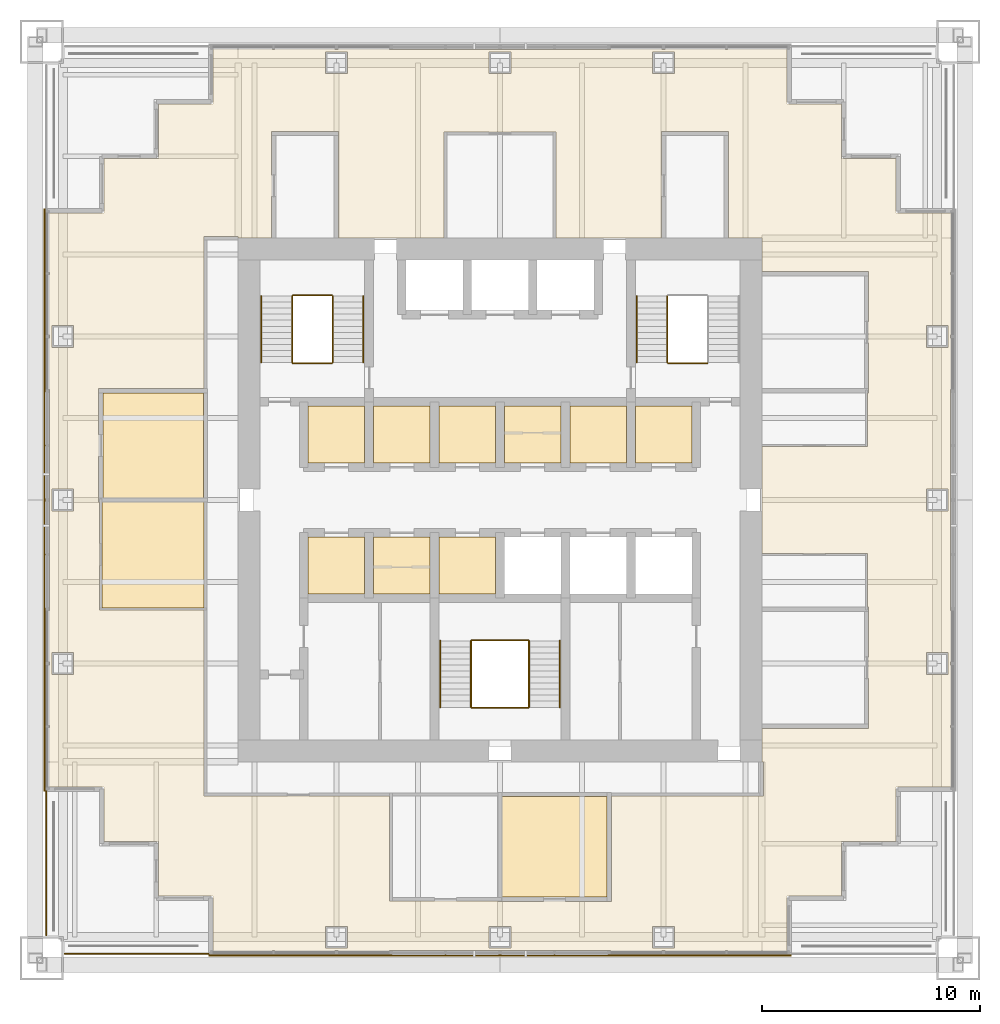
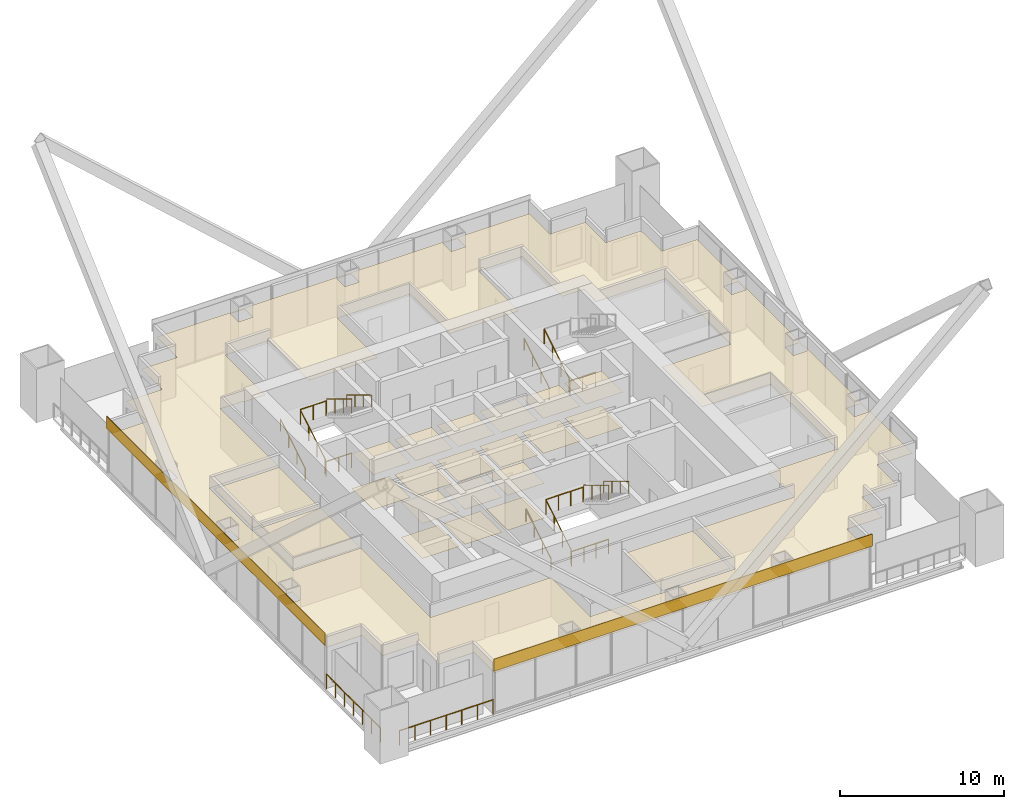
# One storey, part 16 of 17: 24 coverings, 17 railings.
"""IFC4 building model written with IfcOpenShell, lengths in metres."""

from ifc_helpers import new_model, si_unit, direction, frame, origin, origin_2d, place, context, subcontext, project, spatial, polyline, rectangle, circle, outline, extrude, material, layer, layer_set, type_object, element, save


model = new_model("IFC4")

# Units and contexts
model_context = context("Model", 3, precision=1e-05, world=origin(), true_north=direction((0.0, 1.0)))
body_context = subcontext(model_context, "Body", "Model", "MODEL_VIEW")
ifc_project = project(units=[si_unit("LENGTHUNIT", "METRE"), si_unit("AREAUNIT", "SQUARE_METRE"), si_unit("VOLUMEUNIT", "CUBIC_METRE"), si_unit("PLANEANGLEUNIT", "RADIAN"), si_unit("MASSUNIT", "GRAM", prefix="KILO")], contexts=[model_context])

# Site, building, storey
site_placement = place(None, origin())
site = spatial("IfcSite", under=ifc_project, at=site_placement, CompositionType="ELEMENT")
building_placement = place(site_placement, origin())
building = spatial("IfcBuilding", under=site, at=building_placement, Name="Tarangal Relay Tower", CompositionType="ELEMENT")
storey_placement = place(building_placement, frame((0.0, 0.0, 315.89990234375)))
storey = spatial("IfcBuildingStorey", under=building, at=storey_placement, Name="L70", CompositionType="ELEMENT", Elevation=315.89990234375)

# Coverings
ifc_material_1 = material(Name="Anti-static vinyl flooring", Category="plastic")
ifc_layer_1 = layer(ifc_material_1, 0.010009765625)
ifc_layer_set_1 = layer_set([ifc_layer_1], Name="Anti-static vinyl floor")
covering_type_1 = type_object("IfcCoveringType", Name="Anti-static vinyl floor", PredefinedType="FLOORING", material=ifc_layer_set_1)
covering_1_placement = place(storey_placement, origin())
element("IfcCovering", 1, at=covering_1_placement, inside=storey, type_object=covering_type_1, Name="Floor finish FL1 L70-D1", PredefinedType="FLOORING", context=body_context, shape_type="SweptSolid", body=[
    extrude(outline(polyline([(-8.800048828125, 1.699951171875), (-6.199951171875, 1.699951171875), (-6.199951171875, 4.300048828125), (-8.800048828125, 4.300048828125), (-8.800048828125, 1.699951171875)])), origin(), (0.0, 0.0, 1.0), 0.010009765625),
])
covering_2_placement = place(storey_placement, origin())
element("IfcCovering", 2, at=covering_2_placement, inside=storey, type_object=covering_type_1, Name="Floor finish FL1 L70-D2", PredefinedType="FLOORING", context=body_context, shape_type="SweptSolid", body=[
    extrude(outline(polyline([(-5.800048828125, 1.699951171875), (-3.199951171875, 1.699951171875), (-3.199951171875, 4.300048828125), (-5.800048828125, 4.300048828125), (-5.800048828125, 1.699951171875)])), origin(), (0.0, 0.0, 1.0), 0.010009765625),
])
covering_3_placement = place(storey_placement, origin())
element("IfcCovering", 3, at=covering_3_placement, inside=storey, type_object=covering_type_1, Name="Floor finish FL1 L70-D3", PredefinedType="FLOORING", context=body_context, shape_type="SweptSolid", body=[
    extrude(outline(polyline([(-2.800048828125, 1.699951171875), (-0.199951171875, 1.699951171875), (-0.199951171875, 4.300048828125), (-2.800048828125, 4.300048828125), (-2.800048828125, 1.699951171875)])), origin(), (0.0, 0.0, 1.0), 0.010009765625),
])
covering_4_placement = place(storey_placement, origin())
element("IfcCovering", 4, at=covering_4_placement, inside=storey, type_object=covering_type_1, Name="Floor finish FL1 L70-T1", PredefinedType="FLOORING", context=body_context, shape_type="SweptSolid", body=[
    extrude(outline(polyline([(0.199951171875, 1.699951171875), (2.800048828125, 1.699951171875), (2.800048828125, 4.300048828125), (0.199951171875, 4.300048828125), (0.199951171875, 1.699951171875)])), origin(), (0.0, 0.0, 1.0), 0.010009765625),
])
covering_5_placement = place(storey_placement, origin())
element("IfcCovering", 5, at=covering_5_placement, inside=storey, type_object=covering_type_1, Name="Floor finish FL1 L70-T2", PredefinedType="FLOORING", context=body_context, shape_type="SweptSolid", body=[
    extrude(outline(polyline([(3.199951171875, 1.699951171875), (5.800048828125, 1.699951171875), (5.800048828125, 4.300048828125), (3.199951171875, 4.300048828125), (3.199951171875, 1.699951171875)])), origin(), (0.0, 0.0, 1.0), 0.010009765625),
])
covering_6_placement = place(storey_placement, origin())
element("IfcCovering", 6, at=covering_6_placement, inside=storey, type_object=covering_type_1, Name="Floor finish FL1 L70-T3", PredefinedType="FLOORING", context=body_context, shape_type="SweptSolid", body=[
    extrude(outline(polyline([(6.199951171875, 1.699951171875), (8.800048828125, 1.699951171875), (8.800048828125, 4.300048828125), (6.199951171875, 4.300048828125), (6.199951171875, 1.699951171875)])), origin(), (0.0, 0.0, 1.0), 0.010009765625),
])
covering_7_placement = place(storey_placement, origin())
element("IfcCovering", 7, at=covering_7_placement, inside=storey, type_object=covering_type_1, Name="Floor finish FL1 L70-S1", PredefinedType="FLOORING", context=body_context, shape_type="SweptSolid", body=[
    extrude(outline(polyline([(-8.800048828125, -4.300048828125), (-6.199951171875, -4.300048828125), (-6.199951171875, -1.699951171875), (-8.800048828125, -1.699951171875), (-8.800048828125, -4.300048828125)])), origin(), (0.0, 0.0, 1.0), 0.010009765625),
])
covering_8_placement = place(storey_placement, origin())
element("IfcCovering", 8, at=covering_8_placement, inside=storey, type_object=covering_type_1, Name="Floor finish FL1 L70-S2", PredefinedType="FLOORING", context=body_context, shape_type="SweptSolid", body=[
    extrude(outline(polyline([(-5.800048828125, -4.300048828125), (-3.199951171875, -4.300048828125), (-3.199951171875, -1.699951171875), (-5.800048828125, -1.699951171875), (-5.800048828125, -4.300048828125)])), origin(), (0.0, 0.0, 1.0), 0.010009765625),
])
covering_9_placement = place(storey_placement, origin())
element("IfcCovering", 9, at=covering_9_placement, inside=storey, type_object=covering_type_1, Name="Floor finish FL1 L70-S3", PredefinedType="FLOORING", context=body_context, shape_type="SweptSolid", body=[
    extrude(outline(polyline([(-2.800048828125, -4.300048828125), (-0.199951171875, -4.300048828125), (-0.199951171875, -1.699951171875), (-2.800048828125, -1.699951171875), (-2.800048828125, -4.300048828125)])), origin(), (0.0, 0.0, 1.0), 0.010009765625),
])
ifc_material_2 = material(Name="Black anodised aluminium cladding", Category="aluminium")
ifc_layer_2 = layer(ifc_material_2, 0.050048828125)
ifc_layer_set_2 = layer_set([ifc_layer_2], Name="Black metal spandrel band")
covering_type_2 = type_object("IfcCoveringType", Name="Black metal spandrel band", PredefinedType="CLADDING", material=ifc_layer_set_2)
for number, where, z_axis, x_axis, name in (
    (10, (0.0, -20.875, 3.250244140625), (0.0, 0.0, 1.0), (-1.0, 0.0, 0.0), "Spandrel band SB1 S L70"),
    (11, (-20.875, 0.0, 3.250244140625), (0.0, 0.0, 1.0), (0.0, 1.0, 0.0), "Spandrel band SB1 W L70"),
):
    element("IfcCovering", number, at=place(storey_placement, frame(where, z_axis=z_axis, x_axis=x_axis)), inside=storey, type_object=covering_type_2, Name=name, PredefinedType="CLADDING", context=body_context, shape_type="SweptSolid", body=[
        extrude(rectangle(XDim=26.699951171875, YDim=0.050048828125, at=origin_2d()), origin(), (0.0, 0.0, 1.0), 0.89990234375),
    ])

# Railings
ifc_material_3 = material(Name="Steel guard, black finish", Category="steel")
railing_type_1 = type_object("IfcRailingType", Name="Stair guard 1100", PredefinedType="GUARDRAIL", material=ifc_material_3)
railing_1_placement = place(storey_placement, frame((-9.530029296875, 6.300048828125, 0.166748046875)))
element("IfcRailing", 12, at=railing_1_placement, inside=storey, type_object=railing_type_1, Name="Stair ST-A guard GR1 L70 flight 1", PredefinedType="GUARDRAIL", context=body_context, shape_type="SweptSolid", body=[
    extrude(circle(Radius=0.02392578125, at=origin_2d()), frame((0.0, 0.0, 1.076171875), z_axis=(0.0, 0.85685617095, 0.515555527858), x_axis=(-1.0, 0.0, 0.0)), (0.0, 0.0, 1.0), 3.555908203125),
    extrude(circle(Radius=0.02099609375, at=origin_2d()), origin(), (0.0, 0.0, 1.0), 1.052001953125),
    extrude(circle(Radius=0.02099609375, at=origin_2d()), frame((0.0, 1.015625, 0.611083984375)), (0.0, 0.0, 1.0), 1.052001953125),
    extrude(circle(Radius=0.02099609375, at=origin_2d()), frame((0.0, 2.03125, 1.22216796875)), (0.0, 0.0, 1.0), 1.052001953125),
    extrude(circle(Radius=0.02099609375, at=origin_2d()), frame((0.0, 3.046875, 1.833251953125)), (0.0, 0.0, 1.0), 1.052001953125),
])
railing_2_placement = place(storey_placement, frame((-7.669921875, 9.346923828125, 2.166748046875)))
element("IfcRailing", 13, at=railing_2_placement, inside=storey, type_object=railing_type_1, Name="Stair ST-A guard GR1 L70 flight 2", PredefinedType="GUARDRAIL", context=body_context, shape_type="SweptSolid", body=[
    extrude(circle(Radius=0.02392578125, at=origin_2d()), frame((0.0, 0.0, 1.076171875), z_axis=(0.0, -0.85685617095, 0.515555527858), x_axis=(1.0, 0.0, 0.0)), (0.0, 0.0, 1.0), 3.555908203125),
    extrude(circle(Radius=0.02099609375, at=origin_2d()), origin(), (0.0, 0.0, 1.0), 1.052001953125),
    extrude(circle(Radius=0.02099609375, at=origin_2d()), frame((0.0, -1.015625, 0.611083984375)), (0.0, 0.0, 1.0), 1.052001953125),
    extrude(circle(Radius=0.02099609375, at=origin_2d()), frame((0.0, -2.03125, 1.22216796875)), (0.0, 0.0, 1.0), 1.052001953125),
    extrude(circle(Radius=0.02099609375, at=origin_2d()), frame((0.0, -3.046875, 1.833251953125)), (0.0, 0.0, 1.0), 1.052001953125),
])
for number, where, name in (
    (14, (-9.5, 6.27001953125, 0.0), "Stair ST-A landing guard GR1 L70"),
    (15, (-9.5, 9.376953125, 2.0), "Stair ST-A landing guard GR1 L70"),
):
    element("IfcRailing", number, at=place(storey_placement, frame(where)), inside=storey, type_object=railing_type_1, Name=name, PredefinedType="GUARDRAIL", context=body_context, shape_type="SweptSolid", body=[
        extrude(circle(Radius=0.02392578125, at=origin_2d()), frame((0.0, 0.0, 1.076171875), z_axis=(1.0, 0.0, 0.0), x_axis=(0.0, 1.0, 0.0)), (0.0, 0.0, 1.0), 1.800048828125),
        extrude(circle(Radius=0.02099609375, at=origin_2d()), origin(), (0.0, 0.0, 1.0), 1.052001953125),
        extrude(circle(Radius=0.02099609375, at=origin_2d()), frame((0.89990234375, 0.0, 0.0)), (0.0, 0.0, 1.0), 1.052001953125),
        extrude(circle(Radius=0.02099609375, at=origin_2d()), frame((1.800048828125, 0.0, 0.0)), (0.0, 0.0, 1.0), 1.052001953125),
    ])
railing_3_placement = place(storey_placement, frame((7.669921875, 6.300048828125, 0.166748046875)))
element("IfcRailing", 16, at=railing_3_placement, inside=storey, type_object=railing_type_1, Name="Stair ST-B guard GR1 L70 flight 1", PredefinedType="GUARDRAIL", context=body_context, shape_type="SweptSolid", body=[
    extrude(circle(Radius=0.02392578125, at=origin_2d()), frame((0.0, 0.0, 1.076171875), z_axis=(0.0, 0.85685617095, 0.515555527858), x_axis=(-1.0, 0.0, 0.0)), (0.0, 0.0, 1.0), 3.555908203125),
    extrude(circle(Radius=0.02099609375, at=origin_2d()), origin(), (0.0, 0.0, 1.0), 1.052001953125),
    extrude(circle(Radius=0.02099609375, at=origin_2d()), frame((0.0, 1.015625, 0.611083984375)), (0.0, 0.0, 1.0), 1.052001953125),
    extrude(circle(Radius=0.02099609375, at=origin_2d()), frame((0.0, 2.03125, 1.22216796875)), (0.0, 0.0, 1.0), 1.052001953125),
    extrude(circle(Radius=0.02099609375, at=origin_2d()), frame((0.0, 3.046875, 1.833251953125)), (0.0, 0.0, 1.0), 1.052001953125),
])
railing_4_placement = place(storey_placement, frame((7.699951171875, 6.27001953125, 0.0)))
element("IfcRailing", 17, at=railing_4_placement, inside=storey, type_object=railing_type_1, Name="Stair ST-B landing guard GR1 L70", PredefinedType="GUARDRAIL", context=body_context, shape_type="SweptSolid", body=[
    extrude(circle(Radius=0.02392578125, at=origin_2d()), frame((0.0, 0.0, 1.076171875), z_axis=(1.0, 0.0, 0.0), x_axis=(0.0, 1.0, 0.0)), (0.0, 0.0, 1.0), 1.800048828125),
    extrude(circle(Radius=0.02099609375, at=origin_2d()), origin(), (0.0, 0.0, 1.0), 1.052001953125),
    extrude(circle(Radius=0.02099609375, at=origin_2d()), frame((0.89990234375, 0.0, 0.0)), (0.0, 0.0, 1.0), 1.052001953125),
    extrude(circle(Radius=0.02099609375, at=origin_2d()), frame((1.800048828125, 0.0, 0.0)), (0.0, 0.0, 1.0), 1.052001953125),
])
railing_5_placement = place(storey_placement, frame((-1.330078125, -9.5, 0.166748046875)))
element("IfcRailing", 18, at=railing_5_placement, inside=storey, type_object=railing_type_1, Name="Stair ST-C guard GR1 L70 flight 1", PredefinedType="GUARDRAIL", context=body_context, shape_type="SweptSolid", body=[
    extrude(circle(Radius=0.02392578125, at=origin_2d()), frame((0.0, 0.0, 1.076171875), z_axis=(0.0, 0.856874418557, 0.515525199018), x_axis=(-1.0, 0.0, 0.0)), (0.0, 0.0, 1.0), 3.55615234375),
    extrude(circle(Radius=0.02099609375, at=origin_2d()), origin(), (0.0, 0.0, 1.0), 1.052001953125),
    extrude(circle(Radius=0.02099609375, at=origin_2d()), frame((0.0, 1.015625, 0.611083984375)), (0.0, 0.0, 1.0), 1.052001953125),
    extrude(circle(Radius=0.02099609375, at=origin_2d()), frame((0.0, 2.031494140625, 1.22216796875)), (0.0, 0.0, 1.0), 1.052001953125),
    extrude(circle(Radius=0.02099609375, at=origin_2d()), frame((0.0, 3.047119140625, 1.833251953125)), (0.0, 0.0, 1.0), 1.052001953125),
])
railing_6_placement = place(storey_placement, frame((1.330078125, -6.452880859375, 2.166748046875)))
element("IfcRailing", 19, at=railing_6_placement, inside=storey, type_object=railing_type_1, Name="Stair ST-C guard GR1 L70 flight 2", PredefinedType="GUARDRAIL", context=body_context, shape_type="SweptSolid", body=[
    extrude(circle(Radius=0.02392578125, at=origin_2d()), frame((0.0, 0.0, 1.076171875), z_axis=(0.0, -0.856874418557, 0.515525199018), x_axis=(1.0, 0.0, 0.0)), (0.0, 0.0, 1.0), 3.55615234375),
    extrude(circle(Radius=0.02099609375, at=origin_2d()), origin(), (0.0, 0.0, 1.0), 1.052001953125),
    extrude(circle(Radius=0.02099609375, at=origin_2d()), frame((0.0, -1.015625, 0.611083984375)), (0.0, 0.0, 1.0), 1.052001953125),
    extrude(circle(Radius=0.02099609375, at=origin_2d()), frame((0.0, -2.031494140625, 1.22216796875)), (0.0, 0.0, 1.0), 1.052001953125),
    extrude(circle(Radius=0.02099609375, at=origin_2d()), frame((0.0, -3.047119140625, 1.833251953125)), (0.0, 0.0, 1.0), 1.052001953125),
])
for number, where, name in (
    (20, (-1.300048828125, -9.530029296875, 0.0), "Stair ST-C landing guard GR1 L70"),
    (21, (-1.300048828125, -6.423095703125, 2.0), "Stair ST-C landing guard GR1 L70"),
):
    element("IfcRailing", number, at=place(storey_placement, frame(where)), inside=storey, type_object=railing_type_1, Name=name, PredefinedType="GUARDRAIL", context=body_context, shape_type="SweptSolid", body=[
        extrude(circle(Radius=0.02392578125, at=origin_2d()), frame((0.0, 0.0, 1.076171875), z_axis=(1.0, 0.0, 0.0), x_axis=(0.0, 1.0, 0.0)), (0.0, 0.0, 1.0), 2.60009765625),
        extrude(circle(Radius=0.02099609375, at=origin_2d()), origin(), (0.0, 0.0, 1.0), 1.052001953125),
        extrude(circle(Radius=0.02099609375, at=origin_2d()), frame((0.86669921875, 0.0, 0.0)), (0.0, 0.0, 1.0), 1.052001953125),
        extrude(circle(Radius=0.02099609375, at=origin_2d()), frame((1.7333984375, 0.0, 0.0)), (0.0, 0.0, 1.0), 1.052001953125),
        extrude(circle(Radius=0.02099609375, at=origin_2d()), frame((2.60009765625, 0.0, 0.0)), (0.0, 0.0, 1.0), 1.052001953125),
    ])
ifc_material_4 = material(Name="Steel handrail, black finish", Category="steel")
railing_type_2 = type_object("IfcRailingType", Name="Stair handrail 900", PredefinedType="HANDRAIL", material=ifc_material_4)
railing_7_placement = place(storey_placement, frame((-10.93994140625, 6.300048828125, 0.166748046875)))
element("IfcRailing", 22, at=railing_7_placement, inside=storey, type_object=railing_type_2, Name="Stair ST-A handrail HR1 L70 flight 1", PredefinedType="HANDRAIL", context=body_context, shape_type="SweptSolid", body=[
    extrude(circle(Radius=0.02392578125, at=origin_2d()), frame((0.0, 0.0, 0.8759765625), z_axis=(0.0, 0.85685617095, 0.515555527858), x_axis=(-1.0, 0.0, 0.0)), (0.0, 0.0, 1.0), 3.555908203125),
    extrude(circle(Radius=0.02099609375, at=origin_2d()), origin(), (0.0, 0.0, 1.0), 0.851806640625),
    extrude(circle(Radius=0.02099609375, at=origin_2d()), frame((0.0, 1.015625, 0.611083984375)), (0.0, 0.0, 1.0), 0.851806640625),
    extrude(circle(Radius=0.02099609375, at=origin_2d()), frame((0.0, 2.03125, 1.22216796875)), (0.0, 0.0, 1.0), 0.851806640625),
    extrude(circle(Radius=0.02099609375, at=origin_2d()), frame((0.0, 3.046875, 1.833251953125)), (0.0, 0.0, 1.0), 0.851806640625),
])
railing_8_placement = place(storey_placement, frame((-6.260009765625, 9.346923828125, 2.166748046875)))
element("IfcRailing", 23, at=railing_8_placement, inside=storey, type_object=railing_type_2, Name="Stair ST-A handrail HR1 L70 flight 2", PredefinedType="HANDRAIL", context=body_context, shape_type="SweptSolid", body=[
    extrude(circle(Radius=0.02392578125, at=origin_2d()), frame((0.0, 0.0, 0.8759765625), z_axis=(0.0, -0.85685617095, 0.515555527858), x_axis=(1.0, 0.0, 0.0)), (0.0, 0.0, 1.0), 3.555908203125),
    extrude(circle(Radius=0.02099609375, at=origin_2d()), origin(), (0.0, 0.0, 1.0), 0.851806640625),
    extrude(circle(Radius=0.02099609375, at=origin_2d()), frame((0.0, -1.015625, 0.611083984375)), (0.0, 0.0, 1.0), 0.851806640625),
    extrude(circle(Radius=0.02099609375, at=origin_2d()), frame((0.0, -2.03125, 1.22216796875)), (0.0, 0.0, 1.0), 0.851806640625),
    extrude(circle(Radius=0.02099609375, at=origin_2d()), frame((0.0, -3.046875, 1.833251953125)), (0.0, 0.0, 1.0), 0.851806640625),
])
railing_9_placement = place(storey_placement, frame((6.260009765625, 6.300048828125, 0.166748046875)))
element("IfcRailing", 24, at=railing_9_placement, inside=storey, type_object=railing_type_2, Name="Stair ST-B handrail HR1 L70 flight 1", PredefinedType="HANDRAIL", context=body_context, shape_type="SweptSolid", body=[
    extrude(circle(Radius=0.02392578125, at=origin_2d()), frame((0.0, 0.0, 0.8759765625), z_axis=(0.0, 0.85685617095, 0.515555527858), x_axis=(-1.0, 0.0, 0.0)), (0.0, 0.0, 1.0), 3.555908203125),
    extrude(circle(Radius=0.02099609375, at=origin_2d()), origin(), (0.0, 0.0, 1.0), 0.851806640625),
    extrude(circle(Radius=0.02099609375, at=origin_2d()), frame((0.0, 1.015625, 0.611083984375)), (0.0, 0.0, 1.0), 0.851806640625),
    extrude(circle(Radius=0.02099609375, at=origin_2d()), frame((0.0, 2.03125, 1.22216796875)), (0.0, 0.0, 1.0), 0.851806640625),
    extrude(circle(Radius=0.02099609375, at=origin_2d()), frame((0.0, 3.046875, 1.833251953125)), (0.0, 0.0, 1.0), 0.851806640625),
])
railing_10_placement = place(storey_placement, frame((-2.739990234375, -9.5, 0.166748046875)))
element("IfcRailing", 25, at=railing_10_placement, inside=storey, type_object=railing_type_2, Name="Stair ST-C handrail HR1 L70 flight 1", PredefinedType="HANDRAIL", context=body_context, shape_type="SweptSolid", body=[
    extrude(circle(Radius=0.02392578125, at=origin_2d()), frame((0.0, 0.0, 0.8759765625), z_axis=(0.0, 0.856874418557, 0.515525199018), x_axis=(-1.0, 0.0, 0.0)), (0.0, 0.0, 1.0), 3.55615234375),
    extrude(circle(Radius=0.02099609375, at=origin_2d()), origin(), (0.0, 0.0, 1.0), 0.851806640625),
    extrude(circle(Radius=0.02099609375, at=origin_2d()), frame((0.0, 1.015625, 0.611083984375)), (0.0, 0.0, 1.0), 0.851806640625),
    extrude(circle(Radius=0.02099609375, at=origin_2d()), frame((0.0, 2.031494140625, 1.22216796875)), (0.0, 0.0, 1.0), 0.851806640625),
    extrude(circle(Radius=0.02099609375, at=origin_2d()), frame((0.0, 3.047119140625, 1.833251953125)), (0.0, 0.0, 1.0), 0.851806640625),
])
railing_11_placement = place(storey_placement, frame((2.739990234375, -6.452880859375, 2.166748046875)))
element("IfcRailing", 26, at=railing_11_placement, inside=storey, type_object=railing_type_2, Name="Stair ST-C handrail HR1 L70 flight 2", PredefinedType="HANDRAIL", context=body_context, shape_type="SweptSolid", body=[
    extrude(circle(Radius=0.02392578125, at=origin_2d()), frame((0.0, 0.0, 0.8759765625), z_axis=(0.0, -0.856874418557, 0.515525199018), x_axis=(1.0, 0.0, 0.0)), (0.0, 0.0, 1.0), 3.55615234375),
    extrude(circle(Radius=0.02099609375, at=origin_2d()), origin(), (0.0, 0.0, 1.0), 0.851806640625),
    extrude(circle(Radius=0.02099609375, at=origin_2d()), frame((0.0, -1.015625, 0.611083984375)), (0.0, 0.0, 1.0), 0.851806640625),
    extrude(circle(Radius=0.02099609375, at=origin_2d()), frame((0.0, -2.031494140625, 1.22216796875)), (0.0, 0.0, 1.0), 0.851806640625),
    extrude(circle(Radius=0.02099609375, at=origin_2d()), frame((0.0, -3.047119140625, 1.833251953125)), (0.0, 0.0, 1.0), 0.851806640625),
])

# Coverings
ifc_material_5 = material(Name="Mineral fibre ceiling tiles", Category="gypsum")
ifc_layer_3 = layer(ifc_material_5, 0.02001953125)
ifc_layer_set_3 = layer_set([ifc_layer_3], Name="Suspended ceiling")
covering_type_3 = type_object("IfcCoveringType", Name="Suspended ceiling", PredefinedType="CEILING", material=ifc_layer_set_3)
covering_10_placement = place(storey_placement, frame((0.0, 0.0, 2.60009765625)))
element("IfcCovering", 27, at=covering_10_placement, inside=storey, type_object=covering_type_3, Name="Suspended ceiling CL1 L70-D1", PredefinedType="CEILING", context=body_context, shape_type="SweptSolid", body=[
    extrude(outline(polyline([(-8.800048828125, 1.699951171875), (-6.199951171875, 1.699951171875), (-6.199951171875, 4.300048828125), (-8.800048828125, 4.300048828125), (-8.800048828125, 1.699951171875)])), origin(), (0.0, 0.0, 1.0), 0.02001953125),
])
covering_11_placement = place(storey_placement, frame((0.0, 0.0, 2.60009765625)))
element("IfcCovering", 28, at=covering_11_placement, inside=storey, type_object=covering_type_3, Name="Suspended ceiling CL1 L70-D2", PredefinedType="CEILING", context=body_context, shape_type="SweptSolid", body=[
    extrude(outline(polyline([(-5.800048828125, 1.699951171875), (-3.199951171875, 1.699951171875), (-3.199951171875, 4.300048828125), (-5.800048828125, 4.300048828125), (-5.800048828125, 1.699951171875)])), origin(), (0.0, 0.0, 1.0), 0.02001953125),
])
covering_12_placement = place(storey_placement, frame((0.0, 0.0, 2.60009765625)))
element("IfcCovering", 29, at=covering_12_placement, inside=storey, type_object=covering_type_3, Name="Suspended ceiling CL1 L70-D3", PredefinedType="CEILING", context=body_context, shape_type="SweptSolid", body=[
    extrude(outline(polyline([(-2.800048828125, 1.699951171875), (-0.199951171875, 1.699951171875), (-0.199951171875, 4.300048828125), (-2.800048828125, 4.300048828125), (-2.800048828125, 1.699951171875)])), origin(), (0.0, 0.0, 1.0), 0.02001953125),
])
covering_13_placement = place(storey_placement, frame((0.0, 0.0, 2.60009765625)))
element("IfcCovering", 30, at=covering_13_placement, inside=storey, type_object=covering_type_3, Name="Suspended ceiling CL1 L70-T1", PredefinedType="CEILING", context=body_context, shape_type="SweptSolid", body=[
    extrude(outline(polyline([(0.199951171875, 1.699951171875), (2.800048828125, 1.699951171875), (2.800048828125, 4.300048828125), (0.199951171875, 4.300048828125), (0.199951171875, 1.699951171875)])), origin(), (0.0, 0.0, 1.0), 0.02001953125),
])
covering_14_placement = place(storey_placement, frame((0.0, 0.0, 2.60009765625)))
element("IfcCovering", 31, at=covering_14_placement, inside=storey, type_object=covering_type_3, Name="Suspended ceiling CL1 L70-T2", PredefinedType="CEILING", context=body_context, shape_type="SweptSolid", body=[
    extrude(outline(polyline([(3.199951171875, 1.699951171875), (5.800048828125, 1.699951171875), (5.800048828125, 4.300048828125), (3.199951171875, 4.300048828125), (3.199951171875, 1.699951171875)])), origin(), (0.0, 0.0, 1.0), 0.02001953125),
])
covering_15_placement = place(storey_placement, frame((0.0, 0.0, 2.60009765625)))
element("IfcCovering", 32, at=covering_15_placement, inside=storey, type_object=covering_type_3, Name="Suspended ceiling CL1 L70-T3", PredefinedType="CEILING", context=body_context, shape_type="SweptSolid", body=[
    extrude(outline(polyline([(6.199951171875, 1.699951171875), (8.800048828125, 1.699951171875), (8.800048828125, 4.300048828125), (6.199951171875, 4.300048828125), (6.199951171875, 1.699951171875)])), origin(), (0.0, 0.0, 1.0), 0.02001953125),
])
covering_16_placement = place(storey_placement, frame((0.0, 0.0, 2.60009765625)))
element("IfcCovering", 33, at=covering_16_placement, inside=storey, type_object=covering_type_3, Name="Suspended ceiling CL1 L70-S1", PredefinedType="CEILING", context=body_context, shape_type="SweptSolid", body=[
    extrude(outline(polyline([(-8.800048828125, -4.300048828125), (-6.199951171875, -4.300048828125), (-6.199951171875, -1.699951171875), (-8.800048828125, -1.699951171875), (-8.800048828125, -4.300048828125)])), origin(), (0.0, 0.0, 1.0), 0.02001953125),
])
covering_17_placement = place(storey_placement, frame((0.0, 0.0, 2.60009765625)))
element("IfcCovering", 34, at=covering_17_placement, inside=storey, type_object=covering_type_3, Name="Suspended ceiling CL1 L70-S2", PredefinedType="CEILING", context=body_context, shape_type="SweptSolid", body=[
    extrude(outline(polyline([(-5.800048828125, -4.300048828125), (-3.199951171875, -4.300048828125), (-3.199951171875, -1.699951171875), (-5.800048828125, -1.699951171875), (-5.800048828125, -4.300048828125)])), origin(), (0.0, 0.0, 1.0), 0.02001953125),
])
covering_18_placement = place(storey_placement, frame((0.0, 0.0, 2.60009765625)))
element("IfcCovering", 35, at=covering_18_placement, inside=storey, type_object=covering_type_3, Name="Suspended ceiling CL1 L70-S3", PredefinedType="CEILING", context=body_context, shape_type="SweptSolid", body=[
    extrude(outline(polyline([(-2.800048828125, -4.300048828125), (-0.199951171875, -4.300048828125), (-0.199951171875, -1.699951171875), (-2.800048828125, -1.699951171875), (-2.800048828125, -4.300048828125)])), origin(), (0.0, 0.0, 1.0), 0.02001953125),
])
covering_19_placement = place(storey_placement, frame((0.0, 0.0, 2.900146484375)))
element("IfcCovering", 36, at=covering_19_placement, inside=storey, type_object=covering_type_3, Name="Suspended ceiling CL1 L70-09", PredefinedType="CEILING", context=body_context, shape_type="SweptSolid", body=[
    extrude(outline(polyline([(0.10009765625, -18.199951171875), (4.89990234375, -18.199951171875), (4.89990234375, -13.60009765625), (0.10009765625, -13.60009765625), (0.10009765625, -18.199951171875)])), origin(), (0.0, 0.0, 1.0), 0.02001953125),
])
covering_20_placement = place(storey_placement, frame((0.0, 0.0, 2.900146484375)))
element("IfcCovering", 37, at=covering_20_placement, inside=storey, type_object=covering_type_3, Name="Suspended ceiling CL1 L70-11", PredefinedType="CEILING", context=body_context, shape_type="SweptSolid", body=[
    extrude(outline(polyline([(-13.574951171875, -4.949951171875), (-13.574951171875, -0.10009765625), (-18.25, -0.10009765625), (-18.25, -4.949951171875), (-13.574951171875, -4.949951171875)])), origin(), (0.0, 0.0, 1.0), 0.02001953125),
])
covering_21_placement = place(storey_placement, frame((0.0, 0.0, 2.900146484375)))
element("IfcCovering", 38, at=covering_21_placement, inside=storey, type_object=covering_type_3, Name="Suspended ceiling CL1 L70-12", PredefinedType="CEILING", context=body_context, shape_type="SweptSolid", body=[
    extrude(outline(polyline([(-13.60009765625, 4.89990234375), (-18.199951171875, 4.89990234375), (-18.199951171875, 0.10009765625), (-13.60009765625, 0.10009765625), (-13.60009765625, 4.89990234375)])), origin(), (0.0, 0.0, 1.0), 0.02001953125),
])
covering_22_placement = place(storey_placement, frame((0.0, 0.0, 2.900146484375)))
element("IfcCovering", 39, at=covering_22_placement, inside=storey, type_object=covering_type_3, Name="Suspended ceiling CL1 L70-13", PredefinedType="CEILING", context=body_context, shape_type="SweptSolid", body=[
    extrude(outline(polyline([(18.14990234375, 15.64990234375), (15.64990234375, 15.64990234375), (15.64990234375, 18.14990234375), (13.14990234375, 18.14990234375), (13.14990234375, 20.64990234375), (-13.14990234375, 20.64990234375), (-13.14990234375, 18.14990234375), (-15.64990234375, 18.14990234375), (-15.64990234375, 15.64990234375), (-18.14990234375, 15.64990234375), (-18.14990234375, 13.14990234375), (-20.64990234375, 13.14990234375), (-20.64990234375, -13.14990234375), (-18.14990234375, -13.14990234375), (-18.14990234375, -15.64990234375), (-15.64990234375, -15.64990234375), (-15.64990234375, -18.14990234375), (-13.14990234375, -18.14990234375), (-13.14990234375, -20.64990234375), (13.14990234375, -20.64990234375), (13.14990234375, -18.14990234375), (15.64990234375, -18.14990234375), (15.64990234375, -15.64990234375), (18.14990234375, -15.64990234375), (18.14990234375, -13.14990234375), (20.64990234375, -13.14990234375), (20.64990234375, 13.14990234375), (18.14990234375, 13.14990234375), (18.14990234375, 15.64990234375)]), holes=[polyline([(-12.0, 12.074951171875), (-13.574951171875, 12.074951171875), (-13.574951171875, 5.10009765625), (-18.39990234375, 5.10009765625), (-18.39990234375, -0.10009765625), (-18.35009765625, -0.10009765625), (-18.35009765625, -5.050048828125), (-13.574951171875, -5.050048828125), (-13.574951171875, -13.574951171875), (-5.074951171875, -13.574951171875), (-5.074951171875, -18.375), (-0.10009765625, -18.375), (-0.10009765625, -18.39990234375), (5.10009765625, -18.39990234375), (5.10009765625, -13.574951171875), (12.074951171875, -13.574951171875), (12.074951171875, -12.0), (12.0, -12.0), (12.0, -10.47509765625), (16.89990234375, -10.47509765625), (16.89990234375, -4.89990234375), (16.85009765625, -4.89990234375), (16.85009765625, -2.449951171875), (12.0, -2.449951171875), (12.0, 2.449951171875), (16.85009765625, 2.449951171875), (16.85009765625, 4.89990234375), (16.89990234375, 4.89990234375), (16.89990234375, 10.47509765625), (12.0, 10.47509765625), (12.0, 12.0), (10.47509765625, 12.0), (10.47509765625, 16.89990234375), (7.39990234375, 16.89990234375), (7.39990234375, 12.0), (2.574951171875, 12.0), (2.574951171875, 16.875), (-2.574951171875, 16.875), (-2.574951171875, 12.0), (-7.39990234375, 12.0), (-7.39990234375, 16.89990234375), (-10.47509765625, 16.89990234375), (-10.47509765625, 12.0), (-12.0, 12.0), (-12.0, 12.074951171875)]), polyline([(-8.0, -19.5400390625), (-8.0, -20.5400390625), (-7.0, -20.5400390625), (-7.0, -19.5400390625), (-8.0, -19.5400390625)]), polyline([(-19.5400390625, -7.0), (-20.5400390625, -7.0), (-20.5400390625, -8.0), (-19.5400390625, -8.0), (-19.5400390625, -7.0)]), polyline([(-19.5400390625, 0.5), (-20.5400390625, 0.5), (-20.5400390625, -0.5), (-19.5400390625, -0.5), (-19.5400390625, 0.5)]), polyline([(-20.5400390625, 8.0), (-20.5400390625, 7.0), (-19.5400390625, 7.0), (-19.5400390625, 8.0), (-20.5400390625, 8.0)]), polyline([(-7.0, 20.5400390625), (-8.0, 20.5400390625), (-8.0, 19.5400390625), (-7.0, 19.5400390625), (-7.0, 20.5400390625)]), polyline([(0.5, 20.5400390625), (-0.5, 20.5400390625), (-0.5, 19.5400390625), (0.5, 19.5400390625), (0.5, 20.5400390625)]), polyline([(-0.5, -19.5400390625), (-0.5, -20.5400390625), (0.5, -20.5400390625), (0.5, -19.5400390625), (-0.5, -19.5400390625)]), polyline([(8.0, -19.5400390625), (7.0, -19.5400390625), (7.0, -20.5400390625), (8.0, -20.5400390625), (8.0, -19.5400390625)]), polyline([(20.5400390625, -7.0), (19.5400390625, -7.0), (19.5400390625, -8.0), (20.5400390625, -8.0), (20.5400390625, -7.0)]), polyline([(19.5400390625, 0.5), (19.5400390625, -0.5), (20.5400390625, -0.5), (20.5400390625, 0.5), (19.5400390625, 0.5)]), polyline([(20.5400390625, 8.0), (19.5400390625, 8.0), (19.5400390625, 7.0), (20.5400390625, 7.0), (20.5400390625, 8.0)]), polyline([(8.0, 20.5400390625), (7.0, 20.5400390625), (7.0, 19.5400390625), (8.0, 19.5400390625), (8.0, 20.5400390625)])]), origin(), (0.0, 0.0, 1.0), 0.02001953125),
])

# Railings
ifc_material_6 = material(Name="Black steel guard with glass infill", Category="steel")
railing_type_3 = type_object("IfcRailingType", Name="Terrace guard 1100", PredefinedType="GUARDRAIL", material=ifc_material_6)
railing_12_placement = place(storey_placement, frame((-13.35009765625, -20.800048828125, 0.0)))
element("IfcRailing", 40, at=railing_12_placement, inside=storey, type_object=railing_type_3, Name="Terrace guard GR2 SW L70", PredefinedType="GUARDRAIL", context=body_context, shape_type="SweptSolid", body=[
    extrude(circle(Radius=0.02392578125, at=origin_2d()), frame((0.0, 0.0, 1.076171875), z_axis=(-1.0, 0.0, 0.0), x_axis=(0.0, -1.0, 0.0)), (0.0, 0.0, 1.0), 6.599853515625),
    extrude(circle(Radius=0.02099609375, at=origin_2d()), origin(), (0.0, 0.0, 1.0), 1.052001953125),
    extrude(circle(Radius=0.02099609375, at=origin_2d()), frame((-1.10009765625, 0.0, 0.0)), (0.0, 0.0, 1.0), 1.052001953125),
    extrude(circle(Radius=0.02099609375, at=origin_2d()), frame((-2.199951171875, 0.0, 0.0)), (0.0, 0.0, 1.0), 1.052001953125),
    extrude(circle(Radius=0.02099609375, at=origin_2d()), frame((-3.2998046875, 0.0, 0.0)), (0.0, 0.0, 1.0), 1.052001953125),
    extrude(circle(Radius=0.02099609375, at=origin_2d()), frame((-4.39990234375, 0.0, 0.0)), (0.0, 0.0, 1.0), 1.052001953125),
    extrude(circle(Radius=0.02099609375, at=origin_2d()), frame((-5.5, 0.0, 0.0)), (0.0, 0.0, 1.0), 1.052001953125),
    extrude(circle(Radius=0.02099609375, at=origin_2d()), frame((-6.599853515625, 0.0, 0.0)), (0.0, 0.0, 1.0), 1.052001953125),
])
railing_13_placement = place(storey_placement, frame((-20.800048828125, -19.949951171875, 0.0)))
element("IfcRailing", 41, at=railing_13_placement, inside=storey, type_object=railing_type_3, Name="Terrace guard GR2 SW L70", PredefinedType="GUARDRAIL", context=body_context, shape_type="SweptSolid", body=[
    extrude(circle(Radius=0.02392578125, at=origin_2d()), frame((0.0, 0.0, 1.076171875), z_axis=(0.0, 1.0, 0.0), x_axis=(-1.0, 0.0, 0.0)), (0.0, 0.0, 1.0), 6.599853515625),
    extrude(circle(Radius=0.02099609375, at=origin_2d()), origin(), (0.0, 0.0, 1.0), 1.052001953125),
    extrude(circle(Radius=0.02099609375, at=origin_2d()), frame((0.0, 1.10009765625, 0.0)), (0.0, 0.0, 1.0), 1.052001953125),
    extrude(circle(Radius=0.02099609375, at=origin_2d()), frame((0.0, 2.199951171875, 0.0)), (0.0, 0.0, 1.0), 1.052001953125),
    extrude(circle(Radius=0.02099609375, at=origin_2d()), frame((0.0, 3.2998046875, 0.0)), (0.0, 0.0, 1.0), 1.052001953125),
    extrude(circle(Radius=0.02099609375, at=origin_2d()), frame((0.0, 4.39990234375, 0.0)), (0.0, 0.0, 1.0), 1.052001953125),
    extrude(circle(Radius=0.02099609375, at=origin_2d()), frame((0.0, 5.5, 0.0)), (0.0, 0.0, 1.0), 1.052001953125),
    extrude(circle(Radius=0.02099609375, at=origin_2d()), frame((0.0, 6.599853515625, 0.0)), (0.0, 0.0, 1.0), 1.052001953125),
])

save(model, "model.ifc")
